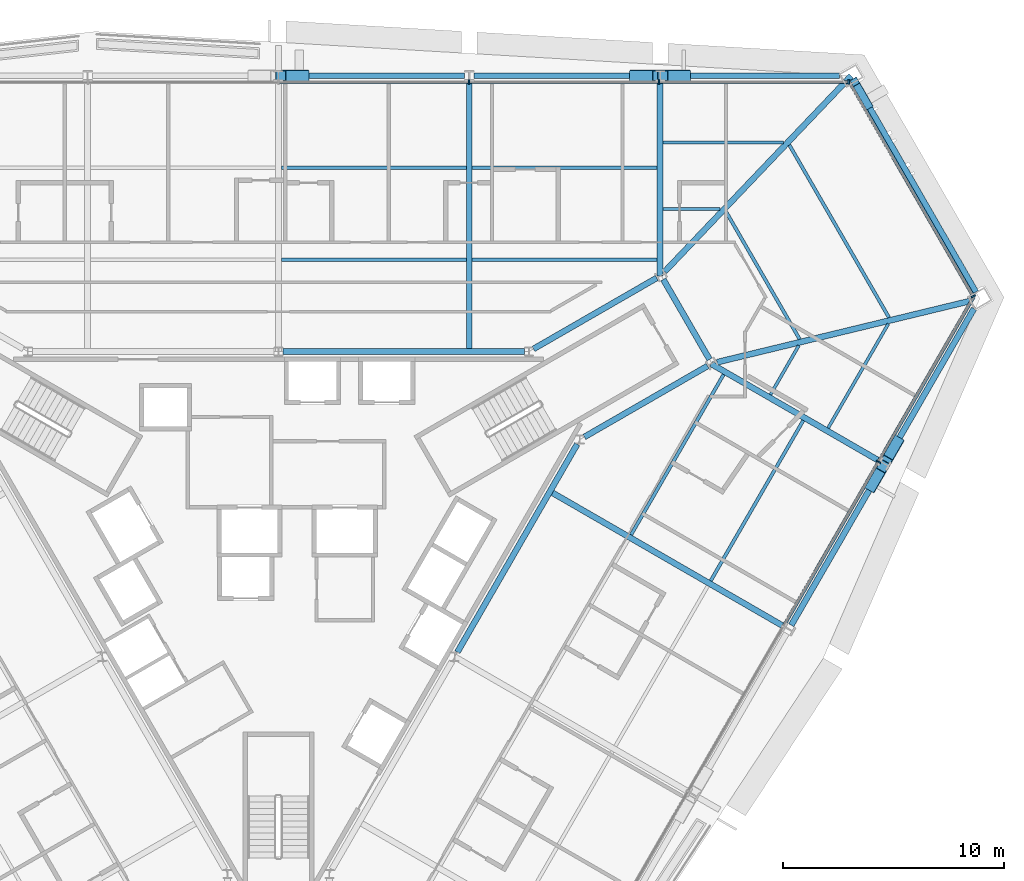
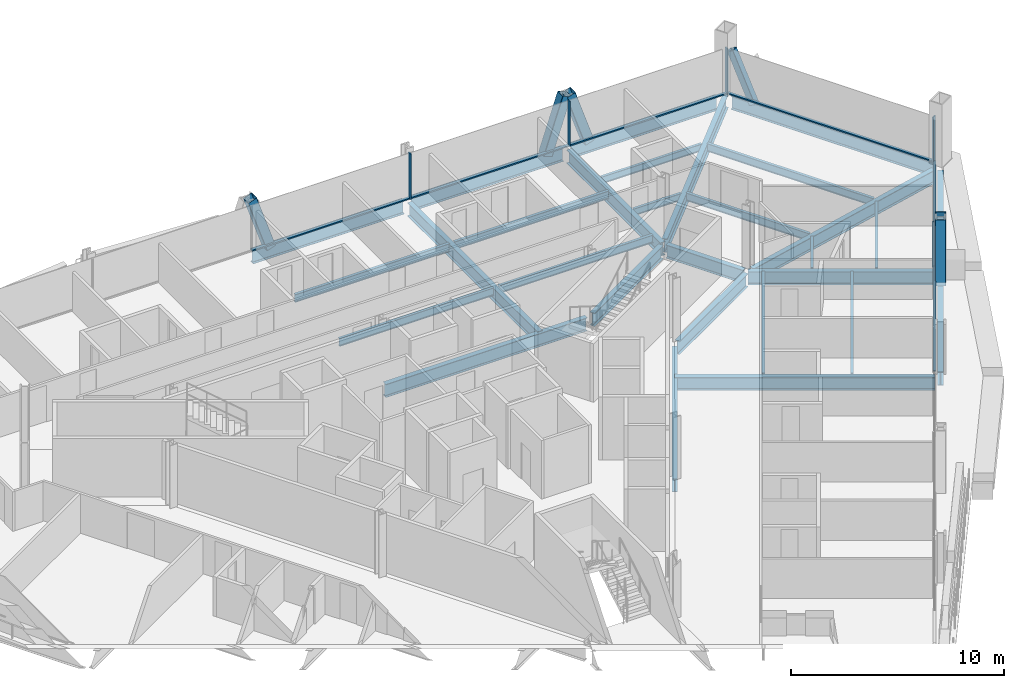
# One storey, part 9 of 18: 29 beams, 17 members, 3 elements without a shape of their own.
"""IFC4 building model written with IfcOpenShell, lengths in metres."""

from ifc_helpers import new_model, si_unit, direction, frame, origin, origin_2d, place, context, subcontext, project, spatial, rectangle, hollow_rectangle, i_section, extrude, material, material_profile, profile_set, type_object, element, aggregate, save


model = new_model("IFC4")

# Units and contexts
model_context = context("Model", 3, precision=1e-05, world=origin(), true_north=direction((0.0, 1.0)))
body_context = subcontext(model_context, "Body", "Model", "MODEL_VIEW")
ifc_project = project(units=[si_unit("LENGTHUNIT", "METRE"), si_unit("AREAUNIT", "SQUARE_METRE"), si_unit("VOLUMEUNIT", "CUBIC_METRE"), si_unit("PLANEANGLEUNIT", "RADIAN"), si_unit("MASSUNIT", "GRAM", prefix="KILO")], contexts=[model_context])

# Site, building, storey
site_placement = place(None, origin())
site = spatial("IfcSite", under=ifc_project, at=site_placement, CompositionType="ELEMENT")
building_placement = place(site_placement, origin())
building = spatial("IfcBuilding", under=site, at=building_placement, Name="Verrane Prism Tower", CompositionType="ELEMENT")
storey_placement = place(building_placement, frame((0.0, 0.0, 83.60009765625)))
storey = spatial("IfcBuildingStorey", under=building, at=storey_placement, Name="L19", CompositionType="ELEMENT", Elevation=83.60009765625)

# Member
ifc_material_1 = material(Name="Steel A500 Grade C", Category="steel")
ifc_material_profile_1 = material_profile(ifc_material_1, hollow_rectangle(XDim=0.355712890625, YDim=0.355712890625, WallThickness=0.0126953125, InnerFilletRadius=0.00634765625, OuterFilletRadius=0.01904296875, at=origin_2d()), Name="HSS14x14x1/2")
ifc_profile_set_1 = profile_set([ifc_material_profile_1], Name="Steel A500 Grade C")
member_type_1 = type_object("IfcMemberType", Name="Chamfer brace HSS14x14x1/2", PredefinedType="BRACE", material=ifc_profile_set_1)
member_1_placement = place(storey_placement, frame((26.6630859375, 20.34619140625, -0.2451171875), z_axis=(-0.204739757292, 0.355208150349, 0.912090347339), x_axis=(-0.866384024529, -0.499378335575, 0.0)))
element("IfcMember", 1, at=member_1_placement, inside=storey, type_object=member_type_1, Name="Chamfer brace NE0 L19", PredefinedType="BRACE", context=body_context, shape_type="SweptSolid", body=[
    extrude(hollow_rectangle(XDim=0.355712890625, YDim=0.355712890625, WallThickness=0.0126953125, InnerFilletRadius=0.00634765625, OuterFilletRadius=0.01904296875, at=origin_2d()), origin(), (0.0, 0.0, 1.0), 2.946533203125),
])

# Beams
ifc_material_2 = material(Name="Steel A992", Category="steel")
ifc_material_profile_2 = material_profile(ifc_material_2, i_section(OverallWidth=0.2666015625, OverallDepth=0.76708984375, WebThickness=0.014892578125, FlangeThickness=0.023681640625, FilletRadius=0.0166015625, at=origin_2d()), Name="W30x124")
ifc_profile_set_2 = profile_set([ifc_material_profile_2], Name="Steel A992")
beam_type_1 = type_object("IfcBeamType", Name="Chamfer spandrel beam W30x124", PredefinedType="SPANDREL", material=ifc_profile_set_2)
beam_1_placement = place(storey_placement, frame((31.53515625, 11.893310546875, -0.543701171875), z_axis=(-0.499381576475, 0.866382156486, 0.0), x_axis=(-0.866382156486, -0.499381576475, 0.0)))
element("IfcBeam", 2, at=beam_1_placement, inside=storey, type_object=beam_type_1, Name="Chamfer spandrel beam L19", PredefinedType="SPANDREL", context=body_context, shape_type="SweptSolid", body=[
    extrude(i_section(OverallWidth=0.2666015625, OverallDepth=0.76708984375, WebThickness=0.014892578125, FlangeThickness=0.023681640625, FilletRadius=0.0166015625, at=origin_2d()), origin(), (0.0, 0.0, 1.0), 10.934326171875),
])
ifc_material_3 = material(Name="Steel A992", Category="steel")
ifc_material_profile_3 = material_profile(ifc_material_3, i_section(OverallWidth=0.2666015625, OverallDepth=0.7568359375, WebThickness=0.013916015625, FlangeThickness=0.019287109375, FilletRadius=0.0166015625, at=origin_2d()), Name="W30x108")
ifc_profile_set_3 = profile_set([ifc_material_profile_3], Name="Steel A992")
beam_type_2 = type_object("IfcBeamType", Name="Core ring girder W30x108", PredefinedType="BEAM", material=ifc_profile_set_3)
beam_2_placement = place(storey_placement, frame((13.833251953125, 5.337158203125, -0.628662109375), z_axis=(0.86646365882, 0.499240150574, 0.0), x_axis=(-0.499240150574, 0.86646365882, 0.0)))
element("IfcBeam", 3, at=beam_2_placement, inside=storey, type_object=beam_type_2, Name="Core ring girder L19", PredefinedType="BEAM", context=body_context, shape_type="SweptSolid", body=[
    extrude(i_section(OverallWidth=0.2666015625, OverallDepth=0.7568359375, WebThickness=0.013916015625, FlangeThickness=0.019287109375, FilletRadius=0.0166015625, at=origin_2d()), origin(), (0.0, 0.0, 1.0), 6.42822265625),
])
beam_3_placement = place(storey_placement, frame((19.4951171875, 8.84130859375, -0.628662109375), z_axis=(-0.500349643494, 0.865823442888, 0.0), x_axis=(-0.865823442888, -0.500349643494, 0.0)))
element("IfcBeam", 4, at=beam_3_placement, inside=storey, type_object=beam_type_2, Name="Core ring girder L19", PredefinedType="BEAM", context=body_context, shape_type="SweptSolid", body=[
    extrude(i_section(OverallWidth=0.2666015625, OverallDepth=0.7568359375, WebThickness=0.013916015625, FlangeThickness=0.019287109375, FilletRadius=0.0166015625, at=origin_2d()), origin(), (0.0, 0.0, 1.0), 4.177734375),
])
beam_4_placement = place(storey_placement, frame((17.10302734375, 12.526611328125, -0.628662109375), z_axis=(-0.866447229751, -0.499268663203, 0.0), x_axis=(0.499268663203, -0.866447229751, 0.0)))
element("IfcBeam", 5, at=beam_4_placement, inside=storey, type_object=beam_type_2, Name="Core ring girder L19", PredefinedType="BEAM", context=body_context, shape_type="SweptSolid", body=[
    extrude(i_section(OverallWidth=0.2666015625, OverallDepth=0.7568359375, WebThickness=0.013916015625, FlangeThickness=0.019287109375, FilletRadius=0.0166015625, at=origin_2d()), origin(), (0.0, 0.0, 1.0), 6.428466796875),
])
beam_5_placement = place(storey_placement, frame((11.126708984375, 9.199951171875, -0.628662109375), z_axis=(-1.0, 0.0, 0.0), x_axis=(0.0, -1.0, 0.0)))
element("IfcBeam", 6, at=beam_5_placement, inside=storey, type_object=beam_type_2, Name="Core ring girder L19", PredefinedType="BEAM", context=body_context, shape_type="SweptSolid", body=[
    extrude(i_section(OverallWidth=0.2666015625, OverallDepth=0.7568359375, WebThickness=0.013916015625, FlangeThickness=0.019287109375, FilletRadius=0.0166015625, at=origin_2d()), origin(), (0.0, 0.0, 1.0), 10.923583984375),
])
beam_6_placement = place(storey_placement, frame((8.090087890625, -4.3916015625, -0.628662109375), z_axis=(0.499371892062, 0.866387738498, 0.0), x_axis=(-0.866387738498, 0.499371892062, 0.0)))
element("IfcBeam", 7, at=beam_6_placement, inside=storey, type_object=beam_type_2, Name="Core ring girder L19", PredefinedType="BEAM", context=body_context, shape_type="SweptSolid", body=[
    extrude(i_section(OverallWidth=0.2666015625, OverallDepth=0.7568359375, WebThickness=0.013916015625, FlangeThickness=0.019287109375, FilletRadius=0.0166015625, at=origin_2d()), origin(), (0.0, 0.0, 1.0), 10.853515625),
])
ifc_material_4 = material(Name="Steel A992", Category="steel")
ifc_material_profile_4 = material_profile(ifc_material_4, i_section(OverallWidth=0.2666015625, OverallDepth=0.76708984375, WebThickness=0.014892578125, FlangeThickness=0.023681640625, FilletRadius=0.0166015625, at=origin_2d()), Name="W30x124")
ifc_profile_set_4 = profile_set([ifc_material_profile_4], Name="Steel A992")
beam_type_3 = type_object("IfcBeamType", Name="Corner girder W30x124", PredefinedType="BEAM", material=ifc_profile_set_4)
beam_7_placement = place(storey_placement, frame((31.254150390625, 11.479736328125, -0.603515625), z_axis=(-0.9719570894, -0.235158279388, 0.0), x_axis=(0.235158279388, -0.9719570894, 0.0)))
element("IfcBeam", 8, at=beam_7_placement, inside=storey, type_object=beam_type_3, Name="Corner girder L19", PredefinedType="BEAM", context=body_context, shape_type="SweptSolid", body=[
    extrude(i_section(OverallWidth=0.2666015625, OverallDepth=0.76708984375, WebThickness=0.014892578125, FlangeThickness=0.023681640625, FilletRadius=0.0166015625, at=origin_2d()), origin(), (0.0, 0.0, 1.0), 11.75341796875),
])
beam_8_placement = place(storey_placement, frame((25.897216796875, 21.6669921875, -0.603515625), z_axis=(-0.689657664947, -0.724135557185, 0.0), x_axis=(0.724135557185, -0.689657664947, 0.0)))
element("IfcBeam", 9, at=beam_8_placement, inside=storey, type_object=beam_type_3, Name="Corner girder L19", PredefinedType="BEAM", context=body_context, shape_type="SweptSolid", body=[
    extrude(i_section(OverallWidth=0.2666015625, OverallDepth=0.76708984375, WebThickness=0.014892578125, FlangeThickness=0.023681640625, FilletRadius=0.0166015625, at=origin_2d()), origin(), (0.0, 0.0, 1.0), 12.22900390625),
])

# Members
ifc_material_5 = material(Name="Steel A1085 Grade A", Category="steel")
ifc_material_profile_5 = material_profile(ifc_material_5, hollow_rectangle(XDim=0.508056640625, YDim=0.508056640625, WallThickness=0.025390625, InnerFilletRadius=0.0126953125, OuterFilletRadius=0.0380859375, at=origin_2d()), Name="HSS20x20x1")
ifc_profile_set_5 = profile_set([ifc_material_profile_5], Name="Steel A1085 Grade A")
member_type_2 = type_object("IfcMemberType", Name="Facade brace HSS20x20x1", PredefinedType="BRACE", material=ifc_profile_set_5)
member_2_placement = place(storey_placement, frame((18.395751953125, 21.669921875, -0.24267578125), z_axis=(-0.316137159227, 0.0, 0.948713495506), x_axis=(0.0, -1.0, 0.0)))
element("IfcMember", 10, at=member_2_placement, inside=storey, type_object=member_type_2, Name="Facade brace N0 L19", PredefinedType="BRACE", context=body_context, shape_type="SweptSolid", body=[
    extrude(hollow_rectangle(XDim=0.508056640625, YDim=0.508056640625, WallThickness=0.025390625, InnerFilletRadius=0.0126953125, OuterFilletRadius=0.0380859375, at=origin_2d()), origin(), (0.0, 0.0, 1.0), 3.2333984375),
])
member_3_placement = place(storey_placement, frame((16.126220703125, 21.669921875, -0.24267578125), z_axis=(0.317495351903, 0.0, 0.948259828064), x_axis=(0.0, 1.0, 0.0)))
element("IfcMember", 11, at=member_3_placement, inside=storey, type_object=member_type_2, Name="Facade brace N1 L19", PredefinedType="BRACE", context=body_context, shape_type="SweptSolid", body=[
    extrude(hollow_rectangle(XDim=0.508056640625, YDim=0.508056640625, WallThickness=0.025390625, InnerFilletRadius=0.0126953125, OuterFilletRadius=0.0380859375, at=origin_2d()), origin(), (0.0, 0.0, 1.0), 3.235107421875),
])
member_4_placement = place(storey_placement, frame((1.134033203125, 21.669921875, -0.24267578125), z_axis=(-0.316612748324, 0.0, 0.948554883809), x_axis=(0.0, -1.0, 0.0)))
element("IfcMember", 12, at=member_4_placement, inside=storey, type_object=member_type_2, Name="Facade brace N2 L19", PredefinedType="BRACE", context=body_context, shape_type="SweptSolid", body=[
    extrude(hollow_rectangle(XDim=0.508056640625, YDim=0.508056640625, WallThickness=0.025390625, InnerFilletRadius=0.0126953125, OuterFilletRadius=0.0380859375, at=origin_2d()), origin(), (0.0, 0.0, 1.0), 3.23388671875),
])
member_5_placement = place(storey_placement, frame((26.83203125, 3.13671875, -0.24267578125), z_axis=(0.158269121362, 0.273421988764, 0.948784117323), x_axis=(-0.865464465472, 0.500970317489, 0.0)))
element("IfcMember", 13, at=member_5_placement, inside=storey, type_object=member_type_2, Name="Facade brace SE4 L19", PredefinedType="BRACE", context=body_context, shape_type="SweptSolid", body=[
    extrude(hollow_rectangle(XDim=0.508056640625, YDim=0.508056640625, WallThickness=0.025390625, InnerFilletRadius=0.0126953125, OuterFilletRadius=0.0380859375, at=origin_2d()), origin(), (0.0, 0.0, 1.0), 3.233154296875),
])
member_6_placement = place(storey_placement, frame((27.96630859375, 5.101318359375, -0.24267578125), z_axis=(-0.158484811265, -0.275084350981, 0.948267454068), x_axis=(0.866482251007, -0.499207881238, 0.0)))
element("IfcMember", 14, at=member_6_placement, inside=storey, type_object=member_type_2, Name="Facade brace SE5 L19", PredefinedType="BRACE", context=body_context, shape_type="SweptSolid", body=[
    extrude(hollow_rectangle(XDim=0.508056640625, YDim=0.508056640625, WallThickness=0.025390625, InnerFilletRadius=0.0126953125, OuterFilletRadius=0.0380859375, at=origin_2d()), origin(), (0.0, 0.0, 1.0), 3.23486328125),
])

# Beams
ifc_material_6 = material(Name="Steel A992", Category="steel")
ifc_material_profile_6 = material_profile(ifc_material_6, i_section(OverallWidth=0.140380859375, OverallDepth=0.40380859375, WebThickness=0.007080078125, FlangeThickness=0.01123046875, FilletRadius=0.01025390625, at=origin_2d()), Name="W16x31")
ifc_profile_set_6 = profile_set([ifc_material_profile_6], Name="Steel A992")
beam_type_4 = type_object("IfcBeamType", Name="Floor beam W16x31", PredefinedType="BEAM", material=ifc_profile_set_6)
beam_9_placement = place(storey_placement, frame((17.3935546875, 15.63671875, -0.362060546875), z_axis=(1.0, 0.0, 0.0), x_axis=(0.0, 1.0, 0.0)))
element("IfcBeam", 15, at=beam_9_placement, inside=storey, type_object=beam_type_4, Name="Floor beam L19", PredefinedType="BEAM", context=body_context, shape_type="SweptSolid", body=[
    extrude(i_section(OverallWidth=0.140380859375, OverallDepth=0.40380859375, WebThickness=0.007080078125, FlangeThickness=0.01123046875, FilletRadius=0.01025390625, at=origin_2d()), origin(), (0.0, 0.0, 1.0), 2.575927734375),
])
beam_10_placement = place(storey_placement, frame((17.3935546875, 18.6533203125, -0.362060546875), z_axis=(1.0, 0.0, 0.0), x_axis=(0.0, 1.0, 0.0)))
element("IfcBeam", 16, at=beam_10_placement, inside=storey, type_object=beam_type_4, Name="Floor beam L19", PredefinedType="BEAM", context=body_context, shape_type="SweptSolid", body=[
    extrude(i_section(OverallWidth=0.140380859375, OverallDepth=0.40380859375, WebThickness=0.007080078125, FlangeThickness=0.01123046875, FilletRadius=0.01025390625, at=origin_2d()), origin(), (0.0, 0.0, 1.0), 5.448974609375),
])
beam_11_placement = place(storey_placement, frame((24.856689453125, 5.7421875, -0.362060546875), z_axis=(0.500006102154, 0.866021880676, 0.0), x_axis=(-0.866021880676, 0.500006102154, 0.0)))
element("IfcBeam", 17, at=beam_11_placement, inside=storey, type_object=beam_type_4, Name="Floor beam L19", PredefinedType="BEAM", context=body_context, shape_type="SweptSolid", body=[
    extrude(i_section(OverallWidth=0.140380859375, OverallDepth=0.40380859375, WebThickness=0.007080078125, FlangeThickness=0.01123046875, FilletRadius=0.01025390625, at=origin_2d()), origin(), (0.0, 0.0, 1.0), 5.43896484375),
])
beam_12_placement = place(storey_placement, frame((22.246826171875, 7.248779296875, -0.362060546875), z_axis=(0.499930841935, 0.86606532853, 0.0), x_axis=(-0.86606532853, 0.499930841935, 0.0)))
element("IfcBeam", 18, at=beam_12_placement, inside=storey, type_object=beam_type_4, Name="Floor beam L19", PredefinedType="BEAM", context=body_context, shape_type="SweptSolid", body=[
    extrude(i_section(OverallWidth=0.140380859375, OverallDepth=0.40380859375, WebThickness=0.007080078125, FlangeThickness=0.01123046875, FilletRadius=0.01025390625, at=origin_2d()), origin(), (0.0, 0.0, 1.0), 2.569091796875),
])
ifc_material_7 = material(Name="Steel A992", Category="steel")
ifc_material_profile_7 = material_profile(ifc_material_7, i_section(OverallWidth=0.15234375, OverallDepth=0.449462890625, WebThickness=0.007568359375, FlangeThickness=0.0107421875, FilletRadius=0.01025390625, at=origin_2d()), Name="W18x35")
ifc_profile_set_7 = profile_set([ifc_material_profile_7], Name="Steel A992")
beam_type_5 = type_object("IfcBeamType", Name="Floor beam W18x35", PredefinedType="BEAM", material=ifc_profile_set_7)
for number, where, z_axis, x_axis, name in (
    (19, (8.763427734375, 13.356689453125, -0.385009765625), (1.0, 0.0, 0.0), (0.0, 1.0, 0.0), "Floor beam L19"),
    (20, (8.763427734375, 17.51318359375, -0.385009765625), (1.0, 0.0, 0.0), (0.0, 1.0, 0.0), "Floor beam L19"),
    (21, (0.133544921875, 13.356689453125, -0.385009765625), (1.0, 0.0, 0.0), (0.0, 1.0, 0.0), "Floor beam L19"),
    (22, (0.133544921875, 17.51318359375, -0.385009765625), (1.0, 0.0, 0.0), (0.0, 1.0, 0.0), "Floor beam L19"),
):
    element("IfcBeam", number, at=place(storey_placement, frame(where, z_axis=z_axis, x_axis=x_axis)), inside=storey, type_object=beam_type_5, Name=name, PredefinedType="BEAM", context=body_context, shape_type="SweptSolid", body=[
        extrude(i_section(OverallWidth=0.15234375, OverallDepth=0.449462890625, WebThickness=0.007568359375, FlangeThickness=0.0107421875, FilletRadius=0.01025390625, at=origin_2d()), origin(), (0.0, 0.0, 1.0), 8.363037109375),
    ])
beam_13_placement = place(storey_placement, frame((19.547119140625, -1.164794921875, -0.385009765625), z_axis=(0.499979169146, 0.86603743015, 0.0), x_axis=(-0.86603743015, 0.499979169146, 0.0)))
element("IfcBeam", 23, at=beam_13_placement, inside=storey, type_object=beam_type_5, Name="Floor beam L19", PredefinedType="BEAM", context=body_context, shape_type="SweptSolid", body=[
    extrude(i_section(OverallWidth=0.15234375, OverallDepth=0.449462890625, WebThickness=0.007568359375, FlangeThickness=0.0107421875, FilletRadius=0.01025390625, at=origin_2d()), origin(), (0.0, 0.0, 1.0), 8.369384765625),
])
beam_14_placement = place(storey_placement, frame((15.946533203125, 0.915771484375, -0.385009765625), z_axis=(0.500001954328, 0.866024275449, 0.0), x_axis=(-0.866024275449, 0.500001954328, 0.0)))
element("IfcBeam", 24, at=beam_14_placement, inside=storey, type_object=beam_type_5, Name="Floor beam L19", PredefinedType="BEAM", context=body_context, shape_type="SweptSolid", body=[
    extrude(i_section(OverallWidth=0.15234375, OverallDepth=0.449462890625, WebThickness=0.007568359375, FlangeThickness=0.0107421875, FilletRadius=0.01025390625, at=origin_2d()), origin(), (0.0, 0.0, 1.0), 8.36767578125),
])
beam_15_placement = place(storey_placement, frame((27.60888671875, 10.735107421875, -0.385009765625), z_axis=(-0.500017147334, 0.86601550354, 0.0), x_axis=(-0.86601550354, -0.500017147334, 0.0)))
element("IfcBeam", 25, at=beam_15_placement, inside=storey, type_object=beam_type_5, Name="Floor beam L19", PredefinedType="BEAM", context=body_context, shape_type="SweptSolid", body=[
    extrude(i_section(OverallWidth=0.15234375, OverallDepth=0.449462890625, WebThickness=0.007568359375, FlangeThickness=0.0107421875, FilletRadius=0.01025390625, at=origin_2d()), origin(), (0.0, 0.0, 1.0), 9.011962890625),
])
beam_16_placement = place(storey_placement, frame((23.568603515625, 9.757568359375, -0.385009765625), z_axis=(-0.500007828009, 0.866020884234, 0.0), x_axis=(-0.866020884234, -0.500007828009, 0.0)))
element("IfcBeam", 26, at=beam_16_placement, inside=storey, type_object=beam_type_5, Name="Floor beam L19", PredefinedType="BEAM", context=body_context, shape_type="SweptSolid", body=[
    extrude(i_section(OverallWidth=0.15234375, OverallDepth=0.449462890625, WebThickness=0.007568359375, FlangeThickness=0.0107421875, FilletRadius=0.01025390625, at=origin_2d()), origin(), (0.0, 0.0, 1.0), 6.6650390625),
])

# Curtain wall, member
ifc_material_8 = material(Name="Aluminium framed insulated glazing", Category="aluminium")
curtain_wall_type = type_object("IfcCurtainWallType", Name="Curtain wall CW-A 8400 module", PredefinedType="NOTDEFINED", material=ifc_material_8)
curtain_wall_1_placement = place(storey_placement, origin())
curtain_wall_1 = element("IfcCurtainWall", 27, at=curtain_wall_1_placement, inside=storey, type_object=curtain_wall_type, Name="Glazed curtain wall north-east corner L19", PredefinedType="NOTDEFINED")
ifc_material_9 = material(Name="Aluminium alloy 6063-T6", Category="aluminium")
ifc_material_profile_8 = material_profile(ifc_material_9, rectangle(XDim=0.199951171875, YDim=0.070068359375, at=origin_2d()), Name="Mullion 70x200 aluminium")
ifc_profile_set_8 = profile_set([ifc_material_profile_8], Name="Aluminium alloy 6063-T6")
member_type_3 = type_object("IfcMemberType", Name="Mullion 70x200 aluminium", PredefinedType="MULLION", material=ifc_profile_set_8)
member_7_placement = place(storey_placement, frame((31.418701171875, 11.69775390625, 0.0), z_axis=(0.0, 0.0, 1.0), x_axis=(-0.866026293788, -0.499998458466, 0.0)))
member_7 = element("IfcMember", 28, at=member_7_placement, type_object=member_type_3, Name="CW17.1 mullion 1", PredefinedType="MULLION", context=body_context, shape_type="SweptSolid", body=[
    extrude(rectangle(XDim=0.199951171875, YDim=0.070068359375, at=origin_2d()), origin(), (0.0, 0.0, 1.0), 2.61279296875),
])

# Curtain wall, members
curtain_wall_2_placement = place(storey_placement, origin())
curtain_wall_2 = element("IfcCurtainWall", 29, at=curtain_wall_2_placement, inside=storey, type_object=curtain_wall_type, Name="Glazed curtain wall north face L19", PredefinedType="NOTDEFINED")
member_8_placement = place(storey_placement, frame((25.787353515625, 21.39111328125, 0.0), z_axis=(0.0, 0.0, 1.0), x_axis=(0.0, -1.0, 0.0)))
member_8 = element("IfcMember", 30, at=member_8_placement, type_object=member_type_3, Name="CW17.2 mullion 1", PredefinedType="MULLION", context=body_context, shape_type="SweptSolid", body=[
    extrude(rectangle(XDim=0.199951171875, YDim=0.070068359375, at=origin_2d()), origin(), (0.0, 0.0, 1.0), 2.61279296875),
])
member_9_placement = place(storey_placement, frame((17.21484375, 21.39111328125, 0.0), z_axis=(0.0, 0.0, 1.0), x_axis=(0.0, -1.0, 0.0)))
member_9 = element("IfcMember", 31, at=member_9_placement, type_object=member_type_3, Name="CW17.2 mullion 2", PredefinedType="MULLION", context=body_context, shape_type="SweptSolid", body=[
    extrude(rectangle(XDim=0.199951171875, YDim=0.070068359375, at=origin_2d()), origin(), (0.0, 0.0, 1.0), 2.61279296875),
])
member_10_placement = place(storey_placement, frame((8.607421875, 21.39111328125, 0.0), z_axis=(0.0, 0.0, 1.0), x_axis=(0.0, -1.0, 0.0)))
member_10 = element("IfcMember", 32, at=member_10_placement, type_object=member_type_3, Name="CW17.2 mullion 3", PredefinedType="MULLION", context=body_context, shape_type="SweptSolid", body=[
    extrude(rectangle(XDim=0.199951171875, YDim=0.070068359375, at=origin_2d()), origin(), (0.0, 0.0, 1.0), 2.61279296875),
])

# Curtain wall, member
curtain_wall_3_placement = place(storey_placement, origin())
curtain_wall_3 = element("IfcCurtainWall", 33, at=curtain_wall_3_placement, inside=storey, type_object=curtain_wall_type, Name="Glazed curtain wall south-east face L19", PredefinedType="NOTDEFINED")
member_11_placement = place(storey_placement, frame((27.132568359375, 4.213134765625, 0.0), z_axis=(0.0, 0.0, 1.0), x_axis=(-0.866025845387, 0.499999235121, 0.0)))
member_11 = element("IfcMember", 34, at=member_11_placement, type_object=member_type_3, Name="CW17.6 mullion 6", PredefinedType="MULLION", context=body_context, shape_type="SweptSolid", body=[
    extrude(rectangle(XDim=0.199951171875, YDim=0.070068359375, at=origin_2d()), origin(), (0.0, 0.0, 1.0), 2.61279296875),
])

# Beams
ifc_material_10 = material(Name="Steel A992", Category="steel")
ifc_material_profile_9 = material_profile(ifc_material_10, i_section(OverallWidth=0.2666015625, OverallDepth=0.76708984375, WebThickness=0.014892578125, FlangeThickness=0.023681640625, FilletRadius=0.0166015625, at=origin_2d()), Name="W30x124")
ifc_profile_set_9 = profile_set([ifc_material_profile_9], Name="Steel A992")
beam_type_6 = type_object("IfcBeamType", Name="Radial girder W30x124", PredefinedType="BEAM", material=ifc_profile_set_9)
beam_17_placement = place(storey_placement, frame((17.260009765625, 21.421142578125, -0.603515625), z_axis=(0.0, -1.0, 0.0), x_axis=(1.0, 0.0, 0.0)))
element("IfcBeam", 35, at=beam_17_placement, inside=storey, type_object=beam_type_6, Name="Radial girder L19", PredefinedType="BEAM", context=body_context, shape_type="SweptSolid", body=[
    extrude(i_section(OverallWidth=0.2666015625, OverallDepth=0.76708984375, WebThickness=0.014892578125, FlangeThickness=0.023681640625, FilletRadius=0.0166015625, at=origin_2d()), origin(), (0.0, 0.0, 1.0), 8.80419921875),
])
beam_18_placement = place(storey_placement, frame((8.6298828125, 21.421142578125, -0.603515625), z_axis=(0.0, -1.0, 0.0), x_axis=(1.0, 0.0, 0.0)))
element("IfcBeam", 36, at=beam_18_placement, inside=storey, type_object=beam_type_6, Name="Radial girder L19", PredefinedType="BEAM", context=body_context, shape_type="SweptSolid", body=[
    extrude(i_section(OverallWidth=0.2666015625, OverallDepth=0.76708984375, WebThickness=0.014892578125, FlangeThickness=0.023681640625, FilletRadius=0.0166015625, at=origin_2d()), origin(), (0.0, 0.0, 1.0), 12.22119140625),
])
beam_19_placement = place(storey_placement, frame((22.864501953125, -3.235595703125, -0.603515625), z_axis=(-0.866023267252, 0.500003700565, 0.0), x_axis=(-0.500003700565, -0.866023267252, 0.0)))
element("IfcBeam", 37, at=beam_19_placement, inside=storey, type_object=beam_type_6, Name="Radial girder L19", PredefinedType="BEAM", context=body_context, shape_type="SweptSolid", body=[
    extrude(i_section(OverallWidth=0.2666015625, OverallDepth=0.76708984375, WebThickness=0.014892578125, FlangeThickness=0.023681640625, FilletRadius=0.0166015625, at=origin_2d()), origin(), (0.0, 0.0, 1.0), 12.22314453125),
])
beam_20_placement = place(storey_placement, frame((27.184326171875, 4.244384765625, -0.603515625), z_axis=(-0.866025632151, 0.499999604458, 0.0), x_axis=(-0.499999604458, -0.866025632151, 0.0)))
element("IfcBeam", 38, at=beam_20_placement, inside=storey, type_object=beam_type_6, Name="Radial girder L19", PredefinedType="BEAM", context=body_context, shape_type="SweptSolid", body=[
    extrude(i_section(OverallWidth=0.2666015625, OverallDepth=0.76708984375, WebThickness=0.014892578125, FlangeThickness=0.023681640625, FilletRadius=0.0166015625, at=origin_2d()), origin(), (0.0, 0.0, 1.0), 8.79443359375),
])
ifc_material_11 = material(Name="Steel A992", Category="steel")
ifc_material_profile_10 = material_profile(ifc_material_11, i_section(OverallWidth=0.2666015625, OverallDepth=0.7568359375, WebThickness=0.013916015625, FlangeThickness=0.019287109375, FilletRadius=0.0166015625, at=origin_2d()), Name="W30x108")
ifc_profile_set_10 = profile_set([ifc_material_profile_10], Name="Steel A992")
beam_type_7 = type_object("IfcBeamType", Name="Spandrel beam W30x108", PredefinedType="SPANDREL", material=ifc_profile_set_10)
beam_21_placement = place(storey_placement, frame((25.38037109375, 21.669921875, -0.53857421875), z_axis=(-1.0, 0.0, 0.0), x_axis=(0.0, -1.0, 0.0)))
element("IfcBeam", 39, at=beam_21_placement, inside=storey, type_object=beam_type_7, Name="Spandrel beam L19", PredefinedType="SPANDREL", context=body_context, shape_type="SweptSolid", body=[
    extrude(i_section(OverallWidth=0.2666015625, OverallDepth=0.7568359375, WebThickness=0.013916015625, FlangeThickness=0.019287109375, FilletRadius=0.0166015625, at=origin_2d()), origin(), (0.0, 0.0, 1.0), 7.904541015625),
])
for number, where, z_axis, x_axis, name in (
    (40, (17.044189453125, 21.669921875, -0.53857421875), (-1.0, 0.0, 0.0), (0.0, -1.0, 0.0), "Spandrel beam L19"),
    (41, (8.4140625, 21.669921875, -0.53857421875), (-1.0, 0.0, 0.0), (0.0, -1.0, 0.0), "Spandrel beam L19"),
):
    element("IfcBeam", number, at=place(storey_placement, frame(where, z_axis=z_axis, x_axis=x_axis)), inside=storey, type_object=beam_type_7, Name=name, PredefinedType="SPANDREL", context=body_context, shape_type="SweptSolid", body=[
        extrude(i_section(OverallWidth=0.2666015625, OverallDepth=0.7568359375, WebThickness=0.013916015625, FlangeThickness=0.019287109375, FilletRadius=0.0166015625, at=origin_2d()), origin(), (0.0, 0.0, 1.0), 8.1982421875),
    ])
beam_22_placement = place(storey_placement, frame((23.18798828125, -3.173095703125, -0.53857421875), z_axis=(0.50011302801, 0.865960137197, 0.0), x_axis=(-0.865960137197, 0.50011302801, 0.0)))
element("IfcBeam", 42, at=beam_22_placement, inside=storey, type_object=beam_type_7, Name="Spandrel beam L19", PredefinedType="SPANDREL", context=body_context, shape_type="SweptSolid", body=[
    extrude(i_section(OverallWidth=0.2666015625, OverallDepth=0.7568359375, WebThickness=0.013916015625, FlangeThickness=0.019287109375, FilletRadius=0.0166015625, at=origin_2d()), origin(), (0.0, 0.0, 1.0), 8.2060546875),
])
beam_23_placement = place(storey_placement, frame((27.5078125, 4.306884765625, -0.53857421875), z_axis=(0.499747458948, 0.866171159341, 0.0), x_axis=(-0.866171159341, 0.499747458948, 0.0)))
element("IfcBeam", 43, at=beam_23_placement, inside=storey, type_object=beam_type_7, Name="Spandrel beam L19", PredefinedType="SPANDREL", context=body_context, shape_type="SweptSolid", body=[
    extrude(i_section(OverallWidth=0.2666015625, OverallDepth=0.7568359375, WebThickness=0.013916015625, FlangeThickness=0.019287109375, FilletRadius=0.0166015625, at=origin_2d()), origin(), (0.0, 0.0, 1.0), 7.888671875),
])

# Member
ifc_material_12 = material(Name="Aluminium alloy 6063-T6", Category="aluminium")
ifc_material_profile_11 = material_profile(ifc_material_12, rectangle(XDim=0.14990234375, YDim=0.070068359375, at=origin_2d()), Name="Transom 70x150 aluminium")
ifc_profile_set_11 = profile_set([ifc_material_profile_11], Name="Aluminium alloy 6063-T6")
member_type_4 = type_object("IfcMemberType", Name="Transom 70x150 aluminium", PredefinedType="USERDEFINED", material=ifc_profile_set_11)
member_12_placement = place(storey_placement, frame((31.4013671875, 11.72802734375, 0.034912109375), z_axis=(-0.499991406607, 0.866030365126, 0.0), x_axis=(-0.866030365126, -0.499991406607, 0.0)))
member_12 = element("IfcMember", 44, at=member_12_placement, type_object=member_type_4, Name="CW17.1 transom 1", ObjectType="TRANSOM", PredefinedType="USERDEFINED", context=body_context, shape_type="SweptSolid", body=[
    extrude(rectangle(XDim=0.14990234375, YDim=0.070068359375, at=origin_2d()), origin(), (0.0, 0.0, 1.0), 11.157958984375),
])

aggregate(curtain_wall_1, [member_7, member_12])

member_13_placement = place(storey_placement, frame((25.75244140625, 21.39111328125, 0.034912109375), z_axis=(-1.0, 0.0, 0.0), x_axis=(0.0, -1.0, 0.0)))
member_13 = element("IfcMember", 45, at=member_13_placement, type_object=member_type_4, Name="CW17.2 transom 1", ObjectType="TRANSOM", PredefinedType="USERDEFINED", context=body_context, shape_type="SweptSolid", body=[
    extrude(rectangle(XDim=0.14990234375, YDim=0.070068359375, at=origin_2d()), origin(), (0.0, 0.0, 1.0), 8.50244140625),
])

member_14_placement = place(storey_placement, frame((17.179931640625, 21.39111328125, 0.034912109375), z_axis=(-1.0, 0.0, 0.0), x_axis=(0.0, -1.0, 0.0)))
member_14 = element("IfcMember", 46, at=member_14_placement, type_object=member_type_4, Name="CW17.2 transom 2", ObjectType="TRANSOM", PredefinedType="USERDEFINED", context=body_context, shape_type="SweptSolid", body=[
    extrude(rectangle(XDim=0.14990234375, YDim=0.070068359375, at=origin_2d()), origin(), (0.0, 0.0, 1.0), 8.537353515625),
])

member_15_placement = place(storey_placement, frame((8.572509765625, 21.39111328125, 0.034912109375), z_axis=(-1.0, 0.0, 0.0), x_axis=(0.0, -1.0, 0.0)))
member_15 = element("IfcMember", 47, at=member_15_placement, type_object=member_type_4, Name="CW17.2 transom 3", ObjectType="TRANSOM", PredefinedType="USERDEFINED", context=body_context, shape_type="SweptSolid", body=[
    extrude(rectangle(XDim=0.14990234375, YDim=0.070068359375, at=origin_2d()), origin(), (0.0, 0.0, 1.0), 8.53759765625),
])

aggregate(curtain_wall_2, [member_8, member_9, member_10, member_13, member_14, member_15])

member_16_placement = place(storey_placement, frame((22.846435546875, -3.2109375, 0.034912109375), z_axis=(0.499977418008, 0.866038441111, 0.0), x_axis=(-0.866038441111, 0.499977418008, 0.0)))
member_16 = element("IfcMember", 48, at=member_16_placement, type_object=member_type_4, Name="CW17.6 transom 5", ObjectType="TRANSOM", PredefinedType="USERDEFINED", context=body_context, shape_type="SweptSolid", body=[
    extrude(rectangle(XDim=0.14990234375, YDim=0.070068359375, at=origin_2d()), origin(), (0.0, 0.0, 1.0), 8.53759765625),
])

member_17_placement = place(storey_placement, frame((27.150146484375, 4.243408203125, 0.034912109375), z_axis=(0.499986237162, 0.866033349617, 0.0), x_axis=(-0.866033349617, 0.499986237162, 0.0)))
member_17 = element("IfcMember", 49, at=member_17_placement, type_object=member_type_4, Name="CW17.6 transom 6", ObjectType="TRANSOM", PredefinedType="USERDEFINED", context=body_context, shape_type="SweptSolid", body=[
    extrude(rectangle(XDim=0.14990234375, YDim=0.070068359375, at=origin_2d()), origin(), (0.0, 0.0, 1.0), 8.572509765625),
])

aggregate(curtain_wall_3, [member_11, member_16, member_17])

save(model, "model.ifc")
